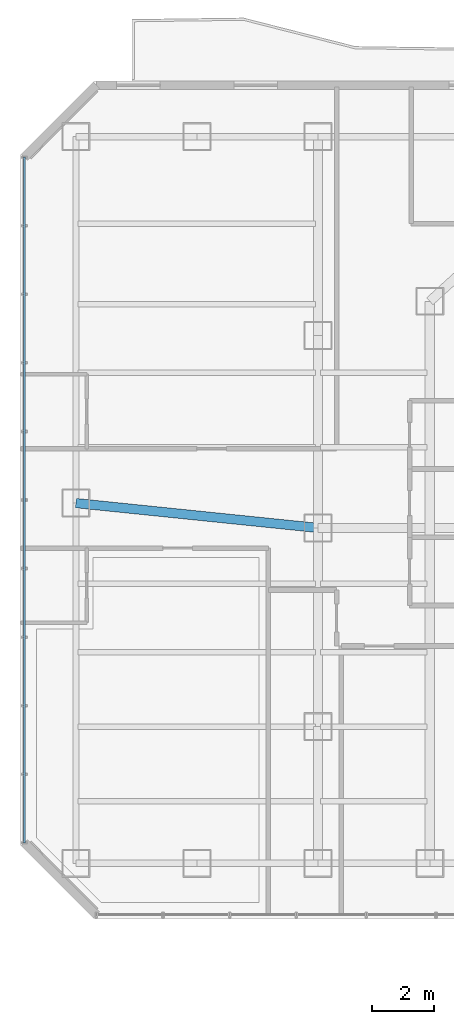
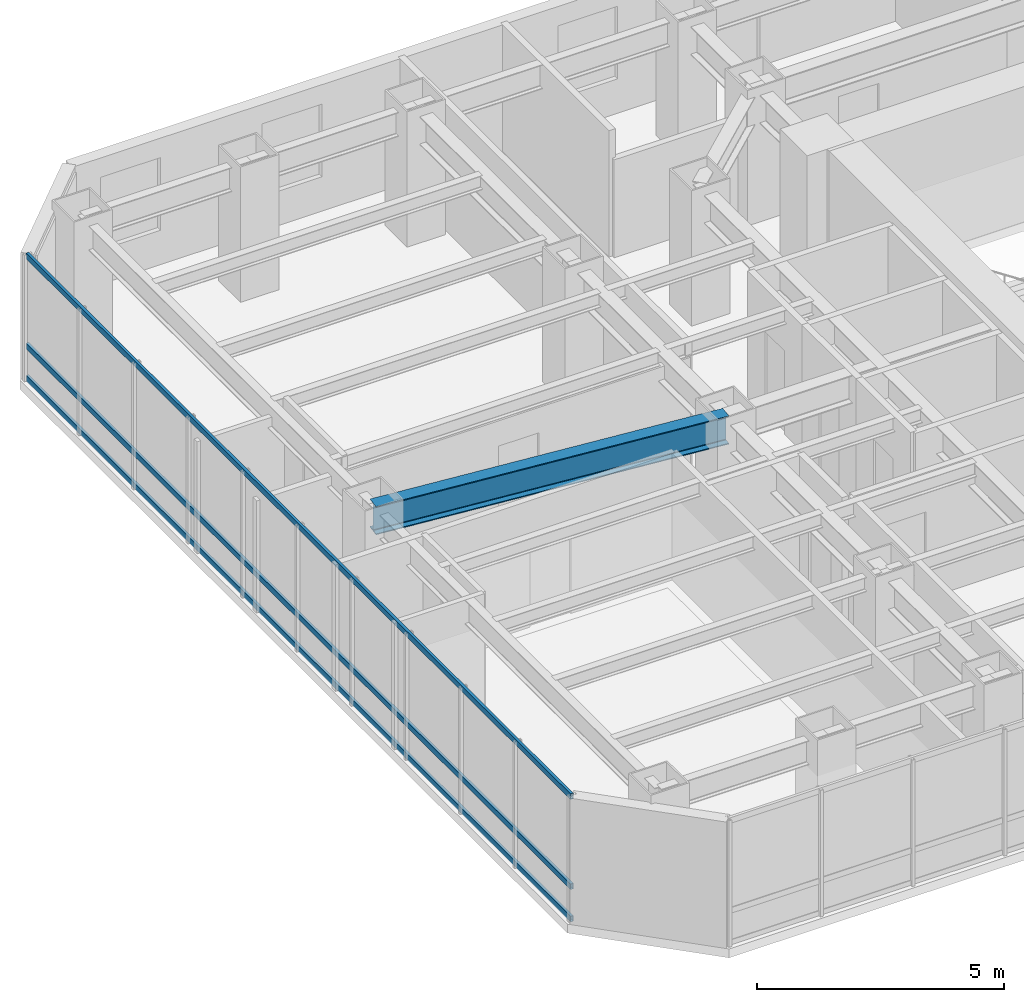
# One storey, part 20 of 36: 3 members, 1 beam, 1 element without a shape of its own.
"""IFC4 building model written with IfcOpenShell, lengths in metres."""

from ifc_helpers import new_model, si_unit, direction, frame, origin, origin_2d, place, context, subcontext, project, spatial, hollow_rectangle, i_section, extrude, material, layer, layer_set, material_profile, profile_set, type_object, element, aggregate, save


model = new_model("IFC4")

# Units and contexts
model_context = context("Model", 3, precision=1e-05, world=origin(), true_north=direction((0.0, 1.0)))
body_context = subcontext(model_context, "Body", "Model", "MODEL_VIEW")
ifc_project = project(units=[si_unit("LENGTHUNIT", "METRE"), si_unit("AREAUNIT", "SQUARE_METRE"), si_unit("VOLUMEUNIT", "CUBIC_METRE"), si_unit("PLANEANGLEUNIT", "RADIAN"), si_unit("MASSUNIT", "GRAM", prefix="KILO")], contexts=[model_context])

# Site, building, storey
site_placement = place(None, origin())
site = spatial("IfcSite", under=ifc_project, at=site_placement, CompositionType="ELEMENT")
building_placement = place(site_placement, origin())
building = spatial("IfcBuilding", under=site, at=building_placement, Name="Hatsunagi Terrace Concourse", CompositionType="ELEMENT")
storey_placement = place(building_placement, frame((0.0, 0.0, 84.64990234375)))
storey = spatial("IfcBuildingStorey", under=building, at=storey_placement, Name="L22", CompositionType="ELEMENT", Elevation=84.64990234375)

# Curtain wall, members
ifc_material_1 = material(Name="Anodised Aluminium Alloy 6063-T5", Category="aluminium")
ifc_layer = layer(ifc_material_1, 0.199951171875)
ifc_layer_set = layer_set([ifc_layer], Name="HotelFacade_CW02")
curtain_wall_type = type_object("IfcCurtainWallType", Name="HotelFacade_CW02", PredefinedType="NOTDEFINED", material=ifc_layer_set)
curtain_wall_placement = place(storey_placement, origin())
curtain_wall = element("IfcCurtainWall", 1, at=curtain_wall_placement, inside=storey, type_object=curtain_wall_type, Name="Unitised Curtain Wall CW-02 CW-L22-09", PredefinedType="NOTDEFINED")
ifc_material_2 = material(Name="Anodised Aluminium Alloy 6063-T5", Category="aluminium")
ifc_material_profile_1 = material_profile(ifc_material_2, hollow_rectangle(XDim=0.06494140625, YDim=0.139892578125, WallThickness=0.00390625, at=origin_2d()), Name="ALU-TRN-140x65x4")
ifc_profile_set_1 = profile_set([ifc_material_profile_1], Name="Anodised Aluminium Alloy 6063-T5")
member_type = type_object("IfcMemberType", Name="CurtainWallTransom_140x65", PredefinedType="USERDEFINED", material=ifc_profile_set_1)
member_1_placement = place(storey_placement, frame((9.739990234375, 25.85791015625, 0.050048828125), z_axis=(0.0, 1.0, 0.0), x_axis=(-1.0, 0.0, 0.0)))
member_1 = element("IfcMember", 2, at=member_1_placement, type_object=member_type, Name="Curtain Wall Transom TRN-02", ObjectType="TRANSOM", PredefinedType="USERDEFINED", context=body_context, shape_type="SweptSolid", body=[
    extrude(hollow_rectangle(XDim=0.06494140625, YDim=0.139892578125, WallThickness=0.00390625, at=origin_2d()), origin(), (0.0, 0.0, 1.0), 22.083984375),
])
member_2_placement = place(storey_placement, frame((9.739990234375, 25.85791015625, 0.85009765625), z_axis=(0.0, 1.0, 0.0), x_axis=(-1.0, 0.0, 0.0)))
member_2 = element("IfcMember", 3, at=member_2_placement, type_object=member_type, Name="Curtain Wall Transom TRN-02", ObjectType="TRANSOM", PredefinedType="USERDEFINED", context=body_context, shape_type="SweptSolid", body=[
    extrude(hollow_rectangle(XDim=0.06494140625, YDim=0.139892578125, WallThickness=0.00390625, at=origin_2d()), origin(), (0.0, 0.0, 1.0), 22.083984375),
])
member_3_placement = place(storey_placement, frame((9.739990234375, 25.85791015625, 3.080078125), z_axis=(0.0, 1.0, 0.0), x_axis=(-1.0, 0.0, 0.0)))
member_3 = element("IfcMember", 4, at=member_3_placement, type_object=member_type, Name="Curtain Wall Transom TRN-02", ObjectType="TRANSOM", PredefinedType="USERDEFINED", context=body_context, shape_type="SweptSolid", body=[
    extrude(hollow_rectangle(XDim=0.06494140625, YDim=0.139892578125, WallThickness=0.00390625, at=origin_2d()), origin(), (0.0, 0.0, 1.0), 22.083984375),
])
aggregate(curtain_wall, [member_1, member_2, member_3])

# Beam
ifc_material_3 = material(Name="Steel SN490B", Category="steel")
ifc_material_profile_2 = material_profile(ifc_material_3, i_section(OverallWidth=0.300048828125, OverallDepth=0.699951171875, WebThickness=0.012939453125, FlangeThickness=0.02392578125, FilletRadius=0.02197265625, at=origin_2d()), Name="H-700x300x13x24")
ifc_profile_set_2 = profile_set([ifc_material_profile_2], Name="Steel SN490B")
beam_type = type_object("IfcBeamType", Name="HotelFloorGirder_H_700x300", PredefinedType="BEAM", material=ifc_profile_set_2)
beam_placement = place(storey_placement, frame((11.39990234375, 36.800048828125, 2.780029296875), z_axis=(0.994780871372, -0.102034395927, 0.0), x_axis=(0.102034395927, 0.994780871372, 0.0)))
element("IfcBeam", 5, at=beam_placement, inside=storey, type_object=beam_type, Name="Beam G-04 BM-L22-EW-2", PredefinedType="BEAM", context=body_context, shape_type="SweptSolid", body=[
    extrude(i_section(OverallWidth=0.300048828125, OverallDepth=0.699951171875, WebThickness=0.012939453125, FlangeThickness=0.02392578125, FilletRadius=0.02197265625, at=origin_2d()), origin(), (0.0, 0.0, 1.0), 7.841064453125),
])

save(model, "model.ifc")
